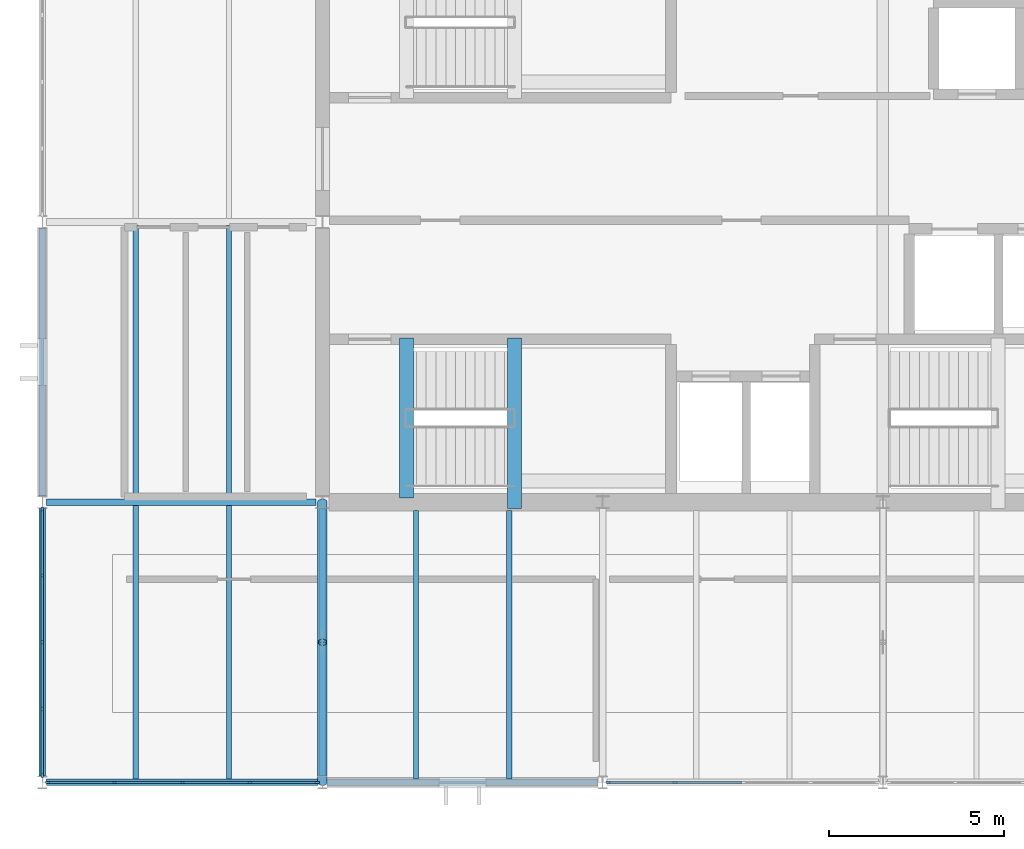
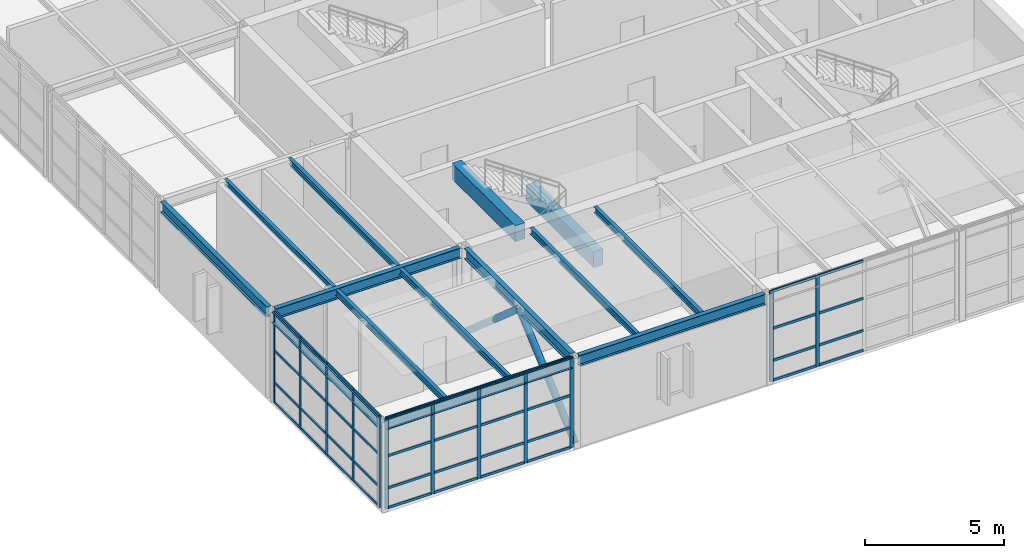
# One storey, part 3 of 20: 54 members, 14 beams, 3 elements without a shape of their own.
"""IFC4 building model written with IfcOpenShell, lengths in metres."""

import ifcopenshell
import ifcopenshell.guid

model = None  # the IFC model being written
_history = None  # IfcOwnerHistory: only IFC2X3 demands one
_inside = {}  # id of a spatial element -> (the spatial element, [elements in it])
_under = {}  # id of a project, library or spatial element -> (it, [spatial elements below it])
_declared = {}  # id of a project -> (the project, [libraries it declares])
_typed = {}  # id of a type object -> (the type object, [elements of that type])
_made_of = {}  # id of a material, layer set ... -> (it, [elements and type objects made of it])


def new_model(schema):
    """Start an empty IFC model of exactly this schema.

    Asked for "IFC4X3", IfcOpenShell would pick the latest addendum, in which some entities
    have other attributes; the version numbers below select the first issue.
    IFC2X3 requires an IfcOwnerHistory on every rooted entity: one is made here for all.
    """
    global model, _history
    if schema == "IFC4X3":
        model = ifcopenshell.file(schema_version=(4, 3, 0, 0))
    else:
        model = ifcopenshell.file(schema=schema)
    _inside.clear()
    _under.clear()
    _declared.clear()
    _typed.clear()
    _made_of.clear()
    _history = None
    if model.schema == "IFC2X3":
        org = make("IfcOrganization", Name="unknown")
        user = make(
            "IfcPersonAndOrganization",
            ThePerson=make("IfcPerson", FamilyName="unknown"),
            TheOrganization=org,
        )
        app = make(
            "IfcApplication",
            ApplicationDeveloper=org,
            Version="unknown",
            ApplicationFullName="unknown",
            ApplicationIdentifier="unknown",
        )
        _history = make(
            "IfcOwnerHistory",
            OwningUser=user,
            OwningApplication=app,
            ChangeAction="ADDED",
            CreationDate=0,
        )
    return model


def make(cls, **values):
    """One entity of the class cls with the attributes given. An attribute that is None is left unset."""
    return model.create_entity(
        cls, **{name: value for name, value in values.items() if value is not None}
    )


def rooted(cls, **values):
    """An entity with a GlobalId (a new one), such as an element, a storey or a relation."""
    return make(cls, GlobalId=ifcopenshell.guid.new(), OwnerHistory=_history, **values)


def si_unit(unit_type, name, prefix=None):
    """IfcSIUnit, for example si_unit("LENGTHUNIT", "METRE", prefix="MILLI")."""
    return make("IfcSIUnit", UnitType=unit_type, Prefix=prefix, Name=name)


def assignment(units):
    """IfcUnitAssignment: the units of a project."""
    return None if units is None else make("IfcUnitAssignment", Units=units)


def point(xyz):
    """IfcCartesianPoint."""
    return None if xyz is None else make("IfcCartesianPoint", Coordinates=xyz)


def direction(xyz):
    """IfcDirection."""
    return None if xyz is None else make("IfcDirection", DirectionRatios=xyz)


def frame(location, z_axis=None, x_axis=None):
    """IfcAxis2Placement3D, a coordinate frame: its origin and axes. An axis left out is left unset."""
    return make(
        "IfcAxis2Placement3D",
        Location=point(location),
        Axis=direction(z_axis),
        RefDirection=direction(x_axis),
    )


def frame_2d(location, x_axis=None):
    """IfcAxis2Placement2D, a coordinate frame in the plane: its origin and x axis."""
    return make(
        "IfcAxis2Placement2D", Location=point(location), RefDirection=direction(x_axis)
    )


def origin():
    """The frame at (0, 0, 0) with its axes left unset."""
    return frame((0.0, 0.0, 0.0))


def origin_2d():
    """The frame at (0, 0) in the plane with its x axis left unset."""
    return frame_2d((0.0, 0.0))


def place(relative_to, where):
    """IfcLocalPlacement: puts the frame where relative to a parent placement (None: the world)."""
    return make(
        "IfcLocalPlacement", PlacementRelTo=relative_to, RelativePlacement=where
    )


def context(
    kind, dimensions, precision=None, world=None, true_north=None, identifier=None
):
    """IfcGeometricRepresentationContext, for example the 3D "Model" context."""
    return make(
        "IfcGeometricRepresentationContext",
        ContextIdentifier=identifier,
        ContextType=kind,
        CoordinateSpaceDimension=dimensions,
        Precision=precision,
        WorldCoordinateSystem=world,
        TrueNorth=true_north,
    )


def subcontext(parent, identifier, kind, view, scale=None):
    """IfcGeometricRepresentationSubContext, for example "Body" below "Model"."""
    return make(
        "IfcGeometricRepresentationSubContext",
        ContextIdentifier=identifier,
        ContextType=kind,
        ParentContext=parent,
        TargetScale=scale,
        TargetView=view,
    )


def project(units=None, contexts=None):
    """IfcProject with its units and contexts."""
    return rooted(
        "IfcProject",
        Name="project",
        RepresentationContexts=contexts,
        UnitsInContext=assignment(units),
    )


def spatial(cls, under=None, at=None, **own):
    """A site, building, storey or space (cls), placed at a placement, below another one or the project."""
    s = rooted(cls, ObjectPlacement=at, **own)
    if under is not None:
        _under.setdefault(under.id(), (under, []))[1].append(s)
    return s


def profile(cls, at=None, kind="AREA", **sizes):
    """A parametric profile (cls). Its sizes go by their IFC names, for example OverallWidth=200.0."""
    return make(cls, ProfileType=kind, Position=at, **sizes)


def rectangle(**sizes):
    """IfcRectangleProfileDef."""
    return profile("IfcRectangleProfileDef", **sizes)


def hollow_circle(**sizes):
    """IfcCircleHollowProfileDef."""
    return profile("IfcCircleHollowProfileDef", **sizes)


def i_section(**sizes):
    """IfcIShapeProfileDef."""
    return profile("IfcIShapeProfileDef", **sizes)


def extrude(swept, where, along, depth):
    """IfcExtrudedAreaSolid: the profile swept, set in the frame where, extruded along a direction by depth."""
    return make(
        "IfcExtrudedAreaSolid",
        SweptArea=swept,
        Position=where,
        ExtrudedDirection=direction(along),
        Depth=depth,
    )


def shape(context_of_items, identifier, shape_type, items):
    """IfcShapeRepresentation: the items that make up one representation, for example the "Body"."""
    return make(
        "IfcShapeRepresentation",
        ContextOfItems=context_of_items,
        RepresentationIdentifier=identifier,
        RepresentationType=shape_type,
        Items=items,
    )


def material(Name=None, Category=None):
    """IfcMaterial."""
    return make("IfcMaterial", Name=Name, Category=Category)


def layer(
    of_material, thickness, ventilated=None, Name=None, Category=None, Priority=None
):
    """IfcMaterialLayer: one layer of a wall or slab, of a material (None: an air gap)."""
    return make(
        "IfcMaterialLayer",
        Material=of_material,
        LayerThickness=thickness,
        IsVentilated=ventilated,
        Name=Name,
        Category=Category,
        Priority=Priority,
    )


def layer_set(layers, Name=None):
    """IfcMaterialLayerSet."""
    return make("IfcMaterialLayerSet", MaterialLayers=layers, LayerSetName=Name)


def material_profile(
    of_material, cross_section, Name=None, Category=None, Priority=None
):
    """IfcMaterialProfile: a cross section and its material."""
    return make(
        "IfcMaterialProfile",
        Name=Name,
        Material=of_material,
        Profile=cross_section,
        Priority=Priority,
        Category=Category,
    )


def profile_set(profiles, Name=None, composite=None):
    """IfcMaterialProfileSet."""
    return make(
        "IfcMaterialProfileSet",
        Name=Name,
        MaterialProfiles=profiles,
        CompositeProfile=composite,
    )


def made_of(thing, what):
    """Note that an element or type object is made of a material, layer set ...; save() writes the relation."""
    if what is not None:
        _made_of.setdefault(what.id(), (what, []))[1].append(thing)
    return thing


def type_object(cls, material=None, **own):
    """A type object (cls), such as IfcWallType, which elements share."""
    return made_of(rooted(cls, **own), material)


def element(
    cls,
    number,
    at=None,
    inside=None,
    cuts=None,
    type_object=None,
    material=None,
    context=None,
    identifier="Body",
    shape_type=None,
    held_by="IfcProductDefinitionShape",
    body=None,
    shapes=None,
    **own,
):
    """One element of the class cls, such as IfcWall. Its Tag is "e" and its number.

    at: its placement. inside: the storey or other place that contains it. cuts: it is an
    opening in that element (IfcRelVoidsElement). A single representation is given by context,
    identifier, shape_type and body (its items); several are given by shapes. held_by: the class
    of the entity that holds the representations. save() writes the other relations.
    """
    e = rooted(cls, Tag="e%d" % number, ObjectPlacement=at, **own)
    if body is not None:
        shapes = [shape(context, identifier, shape_type, body)]
    if shapes is not None:
        e.Representation = make(held_by, Representations=shapes)
    if inside is not None:
        _inside.setdefault(inside.id(), (inside, []))[1].append(e)
    if cuts is not None:
        rooted(
            "IfcRelVoidsElement", RelatingBuildingElement=cuts, RelatedOpeningElement=e
        )
    if type_object is not None:
        _typed.setdefault(type_object.id(), (type_object, []))[1].append(e)
    return made_of(e, material)


def aggregate(whole, parts):
    """IfcRelAggregates: a whole, such as a stair, and the parts it consists of."""
    return rooted("IfcRelAggregates", RelatingObject=whole, RelatedObjects=parts)


def save(model, path):
    """Write the relations noted so far, then the file.

    IfcRelAggregates (storeys below a building ...), IfcRelContainedInSpatialStructure (elements
    in a storey), IfcRelDefinesByType, IfcRelAssociatesMaterial and IfcRelDeclares: one each for
    every whole, place, type object, material and project.
    """
    for whole, parts in _under.values():
        aggregate(whole, parts)
    for where, things in _inside.values():
        rooted(
            "IfcRelContainedInSpatialStructure",
            RelatedElements=things,
            RelatingStructure=where,
        )
    for kind, things in _typed.values():
        rooted("IfcRelDefinesByType", RelatedObjects=things, RelatingType=kind)
    for what, things in _made_of.values():
        rooted("IfcRelAssociatesMaterial", RelatedObjects=things, RelatingMaterial=what)
    for by, libraries in _declared.values():
        rooted("IfcRelDeclares", RelatingContext=by, RelatedDefinitions=libraries)
    model.write(path)


model = new_model("IFC4")

# Units and contexts
model_context = context("Model", 3, precision=1e-05, world=origin(), true_north=direction((0.0, 1.0)))
body_context = subcontext(model_context, "Body", "Model", "MODEL_VIEW")
ifc_project = project(units=[si_unit("LENGTHUNIT", "METRE"), si_unit("AREAUNIT", "SQUARE_METRE"), si_unit("VOLUMEUNIT", "CUBIC_METRE"), si_unit("PLANEANGLEUNIT", "RADIAN"), si_unit("MASSUNIT", "GRAM", prefix="KILO")], contexts=[model_context])

# Site, building, storey
site_placement = place(None, origin())
site = spatial("IfcSite", under=ifc_project, at=site_placement, CompositionType="ELEMENT")
building_placement = place(site_placement, origin())
building = spatial("IfcBuilding", under=site, at=building_placement, Name="Varnela Railside Interchange", CompositionType="ELEMENT")
storey_placement = place(building_placement, frame((0.0, 0.0, 28.0)))
storey = spatial("IfcBuildingStorey", under=building, at=storey_placement, Name="L06", CompositionType="ELEMENT", Elevation=28.0)

# Beams
ifc_material_1 = material(Name="Steel AR 350 (350 MPa)", Category="steel")
ifc_material_profile_1 = material_profile(ifc_material_1, i_section(OverallWidth=0.14794921875, OverallDepth=0.26611328125, WebThickness=0.007568359375, FlangeThickness=0.012939453125, at=origin_2d()), Name="W250x44.8")
ifc_profile_set_1 = profile_set([ifc_material_profile_1], Name="Steel AR 350 (350 MPa)")
beam_type_1 = type_object("IfcBeamType", Name="Composite Floor Joist J-05", PredefinedType="JOIST", material=ifc_profile_set_1)
for number, where, z_axis, x_axis, name in (
    (1, (6.669921875, 46.095947265625, 3.846923828125), (0.0, 1.0, 0.0), (-1.0, 0.0, 0.0), "Composite Floor Joist J-05 (L06) (BM-2642)"),
    (2, (9.330078125, 46.095947265625, 3.846923828125), (0.0, 1.0, 0.0), (-1.0, 0.0, 0.0), "Composite Floor Joist J-05 (L06) (BM-2643)"),
    (3, (6.669921875, 54.095947265625, 3.846923828125), (0.0, 1.0, 0.0), (-1.0, 0.0, 0.0), "Composite Floor Joist J-05 (L06) (BM-2644)"),
    (4, (9.330078125, 54.095947265625, 3.846923828125), (0.0, 1.0, 0.0), (-1.0, 0.0, 0.0), "Composite Floor Joist J-05 (L06) (BM-2645)"),
):
    element("IfcBeam", number, at=place(storey_placement, frame(where, z_axis=z_axis, x_axis=x_axis)), inside=storey, type_object=beam_type_1, Name=name, PredefinedType="JOIST", context=body_context, shape_type="SweptSolid", body=[
        extrude(i_section(OverallWidth=0.14794921875, OverallDepth=0.26611328125, WebThickness=0.007568359375, FlangeThickness=0.012939453125, at=origin_2d()), origin(), (0.0, 0.0, 1.0), 7.80810546875),
    ])
for number, where, z_axis, x_axis, name in (
    (5, (14.669921875, 46.095947265625, 3.846923828125), (0.0, 1.0, 0.0), (-1.0, 0.0, 0.0), "Composite Floor Joist J-05 (L06) (BM-2654)"),
    (6, (17.330078125, 46.095947265625, 3.846923828125), (0.0, 1.0, 0.0), (-1.0, 0.0, 0.0), "Composite Floor Joist J-05 (L06) (BM-2655)"),
):
    element("IfcBeam", number, at=place(storey_placement, frame(where, z_axis=z_axis, x_axis=x_axis)), inside=storey, type_object=beam_type_1, Name=name, PredefinedType="JOIST", context=body_context, shape_type="SweptSolid", body=[
        extrude(i_section(OverallWidth=0.14794921875, OverallDepth=0.26611328125, WebThickness=0.007568359375, FlangeThickness=0.012939453125, at=origin_2d()), origin(), (0.0, 0.0, 1.0), 7.6640625),
    ])
ifc_material_2 = material(Name="Concrete C40", Category="concrete")
ifc_material_profile_2 = material_profile(ifc_material_2, rectangle(XDim=0.39990234375, YDim=0.699951171875, at=origin_2d()), Name="RC 400x700")
ifc_profile_set_2 = profile_set([ifc_material_profile_2], Name="Concrete C40")
beam_type_2 = type_object("IfcBeamType", Name="Concrete Tie Beam B-01", PredefinedType="BEAM", material=ifc_profile_set_2)
beam_1_placement = place(storey_placement, frame((14.39990234375, 54.1201171875, 3.6298828125), z_axis=(0.0, 1.0, 0.0), x_axis=(-1.0, 0.0, 0.0)))
element("IfcBeam", 7, at=beam_1_placement, inside=storey, type_object=beam_type_2, Name="Concrete Tie Beam B-01 (L06) (BM-2724)", PredefinedType="BEAM", context=body_context, shape_type="SweptSolid", body=[
    extrude(rectangle(XDim=0.39990234375, YDim=0.699951171875, at=origin_2d()), origin(), (0.0, 0.0, 1.0), 4.559814453125),
])
beam_2_placement = place(storey_placement, frame((17.47998046875, 53.820068359375, 1.590087890625), z_axis=(0.0, 1.0, 0.0), x_axis=(-1.0, 0.0, 0.0)))
element("IfcBeam", 8, at=beam_2_placement, inside=storey, type_object=beam_type_2, Name="Concrete Tie Beam B-01 (L06) (BM-2721)", PredefinedType="BEAM", context=body_context, shape_type="SweptSolid", body=[
    extrude(rectangle(XDim=0.39990234375, YDim=0.699951171875, at=origin_2d()), origin(), (0.0, 0.0, 1.0), 4.85986328125),
])

# Curtain wall, members
ifc_material_3 = material(Name="Aluminium 6063-T6", Category="aluminium")
ifc_layer = layer(ifc_material_3, 0.035888671875)
ifc_layer_set = layer_set([ifc_layer], Name="Aluminium 6063-T6")
curtain_wall_type = type_object("IfcCurtainWallType", Name="Operations Wing Facade Curtain Wall CW-03", PredefinedType="USERDEFINED", material=ifc_layer_set)
curtain_wall_1_placement = place(storey_placement, origin())
curtain_wall_1 = element("IfcCurtainWall", 9, at=curtain_wall_1_placement, inside=storey, type_object=curtain_wall_type, Name="Curtain Wall CW-03 (L06) (CW-144)", ObjectType="CURTAIN WALL", PredefinedType="USERDEFINED")
ifc_material_profile_3 = material_profile(ifc_material_3, rectangle(XDim=0.06005859375, YDim=0.139892578125, at=origin_2d()), Name="ALU 60x140")
ifc_profile_set_3 = profile_set([ifc_material_profile_3], Name="Aluminium 6063-T6")
member_type_1 = type_object("IfcMemberType", Name="Curtain Wall Mullion ML-01", PredefinedType="MULLION", material=ifc_profile_set_3)
member_1_placement = place(storey_placement, frame((22.064208984375, 46.0, 0.0), z_axis=(0.0, 0.0, 1.0), x_axis=(0.0, -1.0, 0.0)))
member_1 = element("IfcMember", 10, at=member_1_placement, type_object=member_type_1, Name="CW-03 mullion 4", PredefinedType="MULLION", context=body_context, shape_type="SweptSolid", body=[
    extrude(rectangle(XDim=0.06005859375, YDim=0.139892578125, at=origin_2d()), origin(), (0.0, 0.0, 1.0), 3.97998046875),
])
member_2_placement = place(storey_placement, frame((20.158447265625, 46.0, 0.0), z_axis=(0.0, 0.0, 1.0), x_axis=(0.0, -1.0, 0.0)))
member_2 = element("IfcMember", 11, at=member_2_placement, type_object=member_type_1, Name="CW-03 mullion 5", PredefinedType="MULLION", context=body_context, shape_type="SweptSolid", body=[
    extrude(rectangle(XDim=0.06005859375, YDim=0.139892578125, at=origin_2d()), origin(), (0.0, 0.0, 1.0), 3.97998046875),
])

curtain_wall_2_placement = place(storey_placement, origin())
curtain_wall_2 = element("IfcCurtainWall", 12, at=curtain_wall_2_placement, inside=storey, type_object=curtain_wall_type, Name="Curtain Wall CW-03 (L06) (CW-145)", ObjectType="CURTAIN WALL", PredefinedType="USERDEFINED")
member_3_placement = place(storey_placement, frame((11.841552734375, 46.0, 0.0), z_axis=(0.0, 0.0, 1.0), x_axis=(0.0, -1.0, 0.0)))
member_3 = element("IfcMember", 13, at=member_3_placement, type_object=member_type_1, Name="CW-03 mullion 1", PredefinedType="MULLION", context=body_context, shape_type="SweptSolid", body=[
    extrude(rectangle(XDim=0.06005859375, YDim=0.139892578125, at=origin_2d()), origin(), (0.0, 0.0, 1.0), 3.97998046875),
])
member_4_placement = place(storey_placement, frame((9.935791015625, 46.0, 0.0), z_axis=(0.0, 0.0, 1.0), x_axis=(0.0, -1.0, 0.0)))
member_4 = element("IfcMember", 14, at=member_4_placement, type_object=member_type_1, Name="CW-03 mullion 2", PredefinedType="MULLION", context=body_context, shape_type="SweptSolid", body=[
    extrude(rectangle(XDim=0.06005859375, YDim=0.139892578125, at=origin_2d()), origin(), (0.0, 0.0, 1.0), 3.97998046875),
])
member_5_placement = place(storey_placement, frame((8.0, 46.0, 0.0), z_axis=(0.0, 0.0, 1.0), x_axis=(0.0, -1.0, 0.0)))
member_5 = element("IfcMember", 15, at=member_5_placement, type_object=member_type_1, Name="CW-03 mullion 3", PredefinedType="MULLION", context=body_context, shape_type="SweptSolid", body=[
    extrude(rectangle(XDim=0.06005859375, YDim=0.139892578125, at=origin_2d()), origin(), (0.0, 0.0, 1.0), 3.97998046875),
])
member_6_placement = place(storey_placement, frame((6.064208984375, 46.0, 0.0), z_axis=(0.0, 0.0, 1.0), x_axis=(0.0, -1.0, 0.0)))
member_6 = element("IfcMember", 16, at=member_6_placement, type_object=member_type_1, Name="CW-03 mullion 4", PredefinedType="MULLION", context=body_context, shape_type="SweptSolid", body=[
    extrude(rectangle(XDim=0.06005859375, YDim=0.139892578125, at=origin_2d()), origin(), (0.0, 0.0, 1.0), 3.97998046875),
])
member_7_placement = place(storey_placement, frame((4.158447265625, 46.0, 0.0), z_axis=(0.0, 0.0, 1.0), x_axis=(0.0, -1.0, 0.0)))
member_7 = element("IfcMember", 17, at=member_7_placement, type_object=member_type_1, Name="CW-03 mullion 5", PredefinedType="MULLION", context=body_context, shape_type="SweptSolid", body=[
    extrude(rectangle(XDim=0.06005859375, YDim=0.139892578125, at=origin_2d()), origin(), (0.0, 0.0, 1.0), 3.97998046875),
])

curtain_wall_3_placement = place(storey_placement, origin())
curtain_wall_3 = element("IfcCurtainWall", 18, at=curtain_wall_3_placement, inside=storey, type_object=curtain_wall_type, Name="Curtain Wall CW-03 (L06) (CW-146)", ObjectType="CURTAIN WALL", PredefinedType="USERDEFINED")
member_8_placement = place(storey_placement, frame((4.0, 46.21142578125, 0.0), z_axis=(0.0, 0.0, 1.0), x_axis=(-1.0, 0.0, 0.0)))
member_8 = element("IfcMember", 19, at=member_8_placement, type_object=member_type_1, Name="CW-03 mullion 1", PredefinedType="MULLION", context=body_context, shape_type="SweptSolid", body=[
    extrude(rectangle(XDim=0.06005859375, YDim=0.139892578125, at=origin_2d()), origin(), (0.0, 0.0, 1.0), 3.97998046875),
])
member_9_placement = place(storey_placement, frame((4.0, 48.0908203125, 0.0), z_axis=(0.0, 0.0, 1.0), x_axis=(-1.0, 0.0, 0.0)))
member_9 = element("IfcMember", 20, at=member_9_placement, type_object=member_type_1, Name="CW-03 mullion 2", PredefinedType="MULLION", context=body_context, shape_type="SweptSolid", body=[
    extrude(rectangle(XDim=0.06005859375, YDim=0.139892578125, at=origin_2d()), origin(), (0.0, 0.0, 1.0), 3.97998046875),
])
member_10_placement = place(storey_placement, frame((4.0, 50.0, 0.0), z_axis=(0.0, 0.0, 1.0), x_axis=(-1.0, 0.0, 0.0)))
member_10 = element("IfcMember", 21, at=member_10_placement, type_object=member_type_1, Name="CW-03 mullion 3", PredefinedType="MULLION", context=body_context, shape_type="SweptSolid", body=[
    extrude(rectangle(XDim=0.06005859375, YDim=0.139892578125, at=origin_2d()), origin(), (0.0, 0.0, 1.0), 3.97998046875),
])
member_11_placement = place(storey_placement, frame((4.0, 51.9091796875, 0.0), z_axis=(0.0, 0.0, 1.0), x_axis=(-1.0, 0.0, 0.0)))
member_11 = element("IfcMember", 22, at=member_11_placement, type_object=member_type_1, Name="CW-03 mullion 4", PredefinedType="MULLION", context=body_context, shape_type="SweptSolid", body=[
    extrude(rectangle(XDim=0.06005859375, YDim=0.139892578125, at=origin_2d()), origin(), (0.0, 0.0, 1.0), 3.97998046875),
])
member_12_placement = place(storey_placement, frame((4.0, 53.78857421875, 0.0), z_axis=(0.0, 0.0, 1.0), x_axis=(-1.0, 0.0, 0.0)))
member_12 = element("IfcMember", 23, at=member_12_placement, type_object=member_type_1, Name="CW-03 mullion 5", PredefinedType="MULLION", context=body_context, shape_type="SweptSolid", body=[
    extrude(rectangle(XDim=0.06005859375, YDim=0.139892578125, at=origin_2d()), origin(), (0.0, 0.0, 1.0), 3.97998046875),
])

# Member
ifc_material_profile_4 = material_profile(ifc_material_3, rectangle(XDim=0.06005859375, YDim=0.110107421875, at=origin_2d()), Name="ALU 60x110")
ifc_profile_set_4 = profile_set([ifc_material_profile_4], Name="Aluminium 6063-T6")
member_type_2 = type_object("IfcMemberType", Name="Curtain Wall Transom TR-01", PredefinedType="USERDEFINED", material=ifc_profile_set_4)
member_13_placement = place(storey_placement, frame((23.969970703125, 46.0, 0.030029296875), z_axis=(-1.0, 0.0, 0.0), x_axis=(0.0, -1.0, 0.0)))
member_13 = element("IfcMember", 24, at=member_13_placement, type_object=member_type_2, Name="CW-03 transom 3.1", ObjectType="TRANSOM", PredefinedType="USERDEFINED", context=body_context, shape_type="SweptSolid", body=[
    extrude(rectangle(XDim=0.06005859375, YDim=0.110107421875, at=origin_2d()), origin(), (0.0, 0.0, 1.0), 1.875732421875),
])

member_14_placement = place(storey_placement, frame((23.969970703125, 46.0, 0.89990234375), z_axis=(-1.0, 0.0, 0.0), x_axis=(0.0, -1.0, 0.0)))
member_14 = element("IfcMember", 25, at=member_14_placement, type_object=member_type_2, Name="CW-03 transom 3.2", ObjectType="TRANSOM", PredefinedType="USERDEFINED", context=body_context, shape_type="SweptSolid", body=[
    extrude(rectangle(XDim=0.06005859375, YDim=0.110107421875, at=origin_2d()), origin(), (0.0, 0.0, 1.0), 1.875732421875),
])

member_15_placement = place(storey_placement, frame((23.969970703125, 46.0, 2.308349609375), z_axis=(-1.0, 0.0, 0.0), x_axis=(0.0, -1.0, 0.0)))
member_15 = element("IfcMember", 26, at=member_15_placement, type_object=member_type_2, Name="CW-03 transom 3.3", ObjectType="TRANSOM", PredefinedType="USERDEFINED", context=body_context, shape_type="SweptSolid", body=[
    extrude(rectangle(XDim=0.06005859375, YDim=0.110107421875, at=origin_2d()), origin(), (0.0, 0.0, 1.0), 1.875732421875),
])

member_16_placement = place(storey_placement, frame((23.969970703125, 46.0, 3.949951171875), z_axis=(-1.0, 0.0, 0.0), x_axis=(0.0, -1.0, 0.0)))
member_16 = element("IfcMember", 27, at=member_16_placement, type_object=member_type_2, Name="CW-03 transom 3.4", ObjectType="TRANSOM", PredefinedType="USERDEFINED", context=body_context, shape_type="SweptSolid", body=[
    extrude(rectangle(XDim=0.06005859375, YDim=0.110107421875, at=origin_2d()), origin(), (0.0, 0.0, 1.0), 1.875732421875),
])

member_17_placement = place(storey_placement, frame((22.0341796875, 46.0, 0.030029296875), z_axis=(-1.0, 0.0, 0.0), x_axis=(0.0, -1.0, 0.0)))
member_17 = element("IfcMember", 28, at=member_17_placement, type_object=member_type_2, Name="CW-03 transom 4.1", ObjectType="TRANSOM", PredefinedType="USERDEFINED", context=body_context, shape_type="SweptSolid", body=[
    extrude(rectangle(XDim=0.06005859375, YDim=0.110107421875, at=origin_2d()), origin(), (0.0, 0.0, 1.0), 1.845703125),
])

member_18_placement = place(storey_placement, frame((22.0341796875, 46.0, 0.89990234375), z_axis=(-1.0, 0.0, 0.0), x_axis=(0.0, -1.0, 0.0)))
member_18 = element("IfcMember", 29, at=member_18_placement, type_object=member_type_2, Name="CW-03 transom 4.2", ObjectType="TRANSOM", PredefinedType="USERDEFINED", context=body_context, shape_type="SweptSolid", body=[
    extrude(rectangle(XDim=0.06005859375, YDim=0.110107421875, at=origin_2d()), origin(), (0.0, 0.0, 1.0), 1.845703125),
])

member_19_placement = place(storey_placement, frame((22.0341796875, 46.0, 2.308349609375), z_axis=(-1.0, 0.0, 0.0), x_axis=(0.0, -1.0, 0.0)))
member_19 = element("IfcMember", 30, at=member_19_placement, type_object=member_type_2, Name="CW-03 transom 4.3", ObjectType="TRANSOM", PredefinedType="USERDEFINED", context=body_context, shape_type="SweptSolid", body=[
    extrude(rectangle(XDim=0.06005859375, YDim=0.110107421875, at=origin_2d()), origin(), (0.0, 0.0, 1.0), 1.845703125),
])

member_20_placement = place(storey_placement, frame((22.0341796875, 46.0, 3.949951171875), z_axis=(-1.0, 0.0, 0.0), x_axis=(0.0, -1.0, 0.0)))
member_20 = element("IfcMember", 31, at=member_20_placement, type_object=member_type_2, Name="CW-03 transom 4.4", ObjectType="TRANSOM", PredefinedType="USERDEFINED", context=body_context, shape_type="SweptSolid", body=[
    extrude(rectangle(XDim=0.06005859375, YDim=0.110107421875, at=origin_2d()), origin(), (0.0, 0.0, 1.0), 1.845703125),
])

aggregate(curtain_wall_1, [member_1, member_2, member_13, member_14, member_15, member_16, member_17, member_18, member_19, member_20])

member_21_placement = place(storey_placement, frame((11.8115234375, 46.0, 0.030029296875), z_axis=(-1.0, 0.0, 0.0), x_axis=(0.0, -1.0, 0.0)))
member_21 = element("IfcMember", 32, at=member_21_placement, type_object=member_type_2, Name="CW-03 transom 1.1", ObjectType="TRANSOM", PredefinedType="USERDEFINED", context=body_context, shape_type="SweptSolid", body=[
    extrude(rectangle(XDim=0.06005859375, YDim=0.110107421875, at=origin_2d()), origin(), (0.0, 0.0, 1.0), 1.845703125),
])

member_22_placement = place(storey_placement, frame((11.8115234375, 46.0, 0.89990234375), z_axis=(-1.0, 0.0, 0.0), x_axis=(0.0, -1.0, 0.0)))
member_22 = element("IfcMember", 33, at=member_22_placement, type_object=member_type_2, Name="CW-03 transom 1.2", ObjectType="TRANSOM", PredefinedType="USERDEFINED", context=body_context, shape_type="SweptSolid", body=[
    extrude(rectangle(XDim=0.06005859375, YDim=0.110107421875, at=origin_2d()), origin(), (0.0, 0.0, 1.0), 1.845703125),
])

member_23_placement = place(storey_placement, frame((11.8115234375, 46.0, 2.308349609375), z_axis=(-1.0, 0.0, 0.0), x_axis=(0.0, -1.0, 0.0)))
member_23 = element("IfcMember", 34, at=member_23_placement, type_object=member_type_2, Name="CW-03 transom 1.3", ObjectType="TRANSOM", PredefinedType="USERDEFINED", context=body_context, shape_type="SweptSolid", body=[
    extrude(rectangle(XDim=0.06005859375, YDim=0.110107421875, at=origin_2d()), origin(), (0.0, 0.0, 1.0), 1.845703125),
])

member_24_placement = place(storey_placement, frame((11.8115234375, 46.0, 3.949951171875), z_axis=(-1.0, 0.0, 0.0), x_axis=(0.0, -1.0, 0.0)))
member_24 = element("IfcMember", 35, at=member_24_placement, type_object=member_type_2, Name="CW-03 transom 1.4", ObjectType="TRANSOM", PredefinedType="USERDEFINED", context=body_context, shape_type="SweptSolid", body=[
    extrude(rectangle(XDim=0.06005859375, YDim=0.110107421875, at=origin_2d()), origin(), (0.0, 0.0, 1.0), 1.845703125),
])

member_25_placement = place(storey_placement, frame((9.90576171875, 46.0, 0.030029296875), z_axis=(-1.0, 0.0, 0.0), x_axis=(0.0, -1.0, 0.0)))
member_25 = element("IfcMember", 36, at=member_25_placement, type_object=member_type_2, Name="CW-03 transom 2.1", ObjectType="TRANSOM", PredefinedType="USERDEFINED", context=body_context, shape_type="SweptSolid", body=[
    extrude(rectangle(XDim=0.06005859375, YDim=0.110107421875, at=origin_2d()), origin(), (0.0, 0.0, 1.0), 1.875732421875),
])

member_26_placement = place(storey_placement, frame((9.90576171875, 46.0, 0.89990234375), z_axis=(-1.0, 0.0, 0.0), x_axis=(0.0, -1.0, 0.0)))
member_26 = element("IfcMember", 37, at=member_26_placement, type_object=member_type_2, Name="CW-03 transom 2.2", ObjectType="TRANSOM", PredefinedType="USERDEFINED", context=body_context, shape_type="SweptSolid", body=[
    extrude(rectangle(XDim=0.06005859375, YDim=0.110107421875, at=origin_2d()), origin(), (0.0, 0.0, 1.0), 1.875732421875),
])

member_27_placement = place(storey_placement, frame((9.90576171875, 46.0, 2.308349609375), z_axis=(-1.0, 0.0, 0.0), x_axis=(0.0, -1.0, 0.0)))
member_27 = element("IfcMember", 38, at=member_27_placement, type_object=member_type_2, Name="CW-03 transom 2.3", ObjectType="TRANSOM", PredefinedType="USERDEFINED", context=body_context, shape_type="SweptSolid", body=[
    extrude(rectangle(XDim=0.06005859375, YDim=0.110107421875, at=origin_2d()), origin(), (0.0, 0.0, 1.0), 1.875732421875),
])

member_28_placement = place(storey_placement, frame((9.90576171875, 46.0, 3.949951171875), z_axis=(-1.0, 0.0, 0.0), x_axis=(0.0, -1.0, 0.0)))
member_28 = element("IfcMember", 39, at=member_28_placement, type_object=member_type_2, Name="CW-03 transom 2.4", ObjectType="TRANSOM", PredefinedType="USERDEFINED", context=body_context, shape_type="SweptSolid", body=[
    extrude(rectangle(XDim=0.06005859375, YDim=0.110107421875, at=origin_2d()), origin(), (0.0, 0.0, 1.0), 1.875732421875),
])

member_29_placement = place(storey_placement, frame((7.969970703125, 46.0, 0.030029296875), z_axis=(-1.0, 0.0, 0.0), x_axis=(0.0, -1.0, 0.0)))
member_29 = element("IfcMember", 40, at=member_29_placement, type_object=member_type_2, Name="CW-03 transom 3.1", ObjectType="TRANSOM", PredefinedType="USERDEFINED", context=body_context, shape_type="SweptSolid", body=[
    extrude(rectangle(XDim=0.06005859375, YDim=0.110107421875, at=origin_2d()), origin(), (0.0, 0.0, 1.0), 1.875732421875),
])

member_30_placement = place(storey_placement, frame((7.969970703125, 46.0, 0.89990234375), z_axis=(-1.0, 0.0, 0.0), x_axis=(0.0, -1.0, 0.0)))
member_30 = element("IfcMember", 41, at=member_30_placement, type_object=member_type_2, Name="CW-03 transom 3.2", ObjectType="TRANSOM", PredefinedType="USERDEFINED", context=body_context, shape_type="SweptSolid", body=[
    extrude(rectangle(XDim=0.06005859375, YDim=0.110107421875, at=origin_2d()), origin(), (0.0, 0.0, 1.0), 1.875732421875),
])

member_31_placement = place(storey_placement, frame((7.969970703125, 46.0, 2.308349609375), z_axis=(-1.0, 0.0, 0.0), x_axis=(0.0, -1.0, 0.0)))
member_31 = element("IfcMember", 42, at=member_31_placement, type_object=member_type_2, Name="CW-03 transom 3.3", ObjectType="TRANSOM", PredefinedType="USERDEFINED", context=body_context, shape_type="SweptSolid", body=[
    extrude(rectangle(XDim=0.06005859375, YDim=0.110107421875, at=origin_2d()), origin(), (0.0, 0.0, 1.0), 1.875732421875),
])

member_32_placement = place(storey_placement, frame((7.969970703125, 46.0, 3.949951171875), z_axis=(-1.0, 0.0, 0.0), x_axis=(0.0, -1.0, 0.0)))
member_32 = element("IfcMember", 43, at=member_32_placement, type_object=member_type_2, Name="CW-03 transom 3.4", ObjectType="TRANSOM", PredefinedType="USERDEFINED", context=body_context, shape_type="SweptSolid", body=[
    extrude(rectangle(XDim=0.06005859375, YDim=0.110107421875, at=origin_2d()), origin(), (0.0, 0.0, 1.0), 1.875732421875),
])

member_33_placement = place(storey_placement, frame((6.0341796875, 46.0, 0.030029296875), z_axis=(-1.0, 0.0, 0.0), x_axis=(0.0, -1.0, 0.0)))
member_33 = element("IfcMember", 44, at=member_33_placement, type_object=member_type_2, Name="CW-03 transom 4.1", ObjectType="TRANSOM", PredefinedType="USERDEFINED", context=body_context, shape_type="SweptSolid", body=[
    extrude(rectangle(XDim=0.06005859375, YDim=0.110107421875, at=origin_2d()), origin(), (0.0, 0.0, 1.0), 1.845703125),
])

member_34_placement = place(storey_placement, frame((6.0341796875, 46.0, 0.89990234375), z_axis=(-1.0, 0.0, 0.0), x_axis=(0.0, -1.0, 0.0)))
member_34 = element("IfcMember", 45, at=member_34_placement, type_object=member_type_2, Name="CW-03 transom 4.2", ObjectType="TRANSOM", PredefinedType="USERDEFINED", context=body_context, shape_type="SweptSolid", body=[
    extrude(rectangle(XDim=0.06005859375, YDim=0.110107421875, at=origin_2d()), origin(), (0.0, 0.0, 1.0), 1.845703125),
])

member_35_placement = place(storey_placement, frame((6.0341796875, 46.0, 2.308349609375), z_axis=(-1.0, 0.0, 0.0), x_axis=(0.0, -1.0, 0.0)))
member_35 = element("IfcMember", 46, at=member_35_placement, type_object=member_type_2, Name="CW-03 transom 4.3", ObjectType="TRANSOM", PredefinedType="USERDEFINED", context=body_context, shape_type="SweptSolid", body=[
    extrude(rectangle(XDim=0.06005859375, YDim=0.110107421875, at=origin_2d()), origin(), (0.0, 0.0, 1.0), 1.845703125),
])

member_36_placement = place(storey_placement, frame((6.0341796875, 46.0, 3.949951171875), z_axis=(-1.0, 0.0, 0.0), x_axis=(0.0, -1.0, 0.0)))
member_36 = element("IfcMember", 47, at=member_36_placement, type_object=member_type_2, Name="CW-03 transom 4.4", ObjectType="TRANSOM", PredefinedType="USERDEFINED", context=body_context, shape_type="SweptSolid", body=[
    extrude(rectangle(XDim=0.06005859375, YDim=0.110107421875, at=origin_2d()), origin(), (0.0, 0.0, 1.0), 1.845703125),
])

aggregate(curtain_wall_2, [member_3, member_4, member_5, member_6, member_7, member_21, member_22, member_23, member_24, member_25, member_26, member_27, member_28, member_29, member_30, member_31, member_32, member_33, member_34, member_35, member_36])

member_37_placement = place(storey_placement, frame((4.0, 46.241455078125, 0.030029296875), z_axis=(0.0, 1.0, 0.0), x_axis=(-1.0, 0.0, 0.0)))
member_37 = element("IfcMember", 48, at=member_37_placement, type_object=member_type_2, Name="CW-03 transom 1.1", ObjectType="TRANSOM", PredefinedType="USERDEFINED", context=body_context, shape_type="SweptSolid", body=[
    extrude(rectangle(XDim=0.06005859375, YDim=0.110107421875, at=origin_2d()), origin(), (0.0, 0.0, 1.0), 1.8193359375),
])

member_38_placement = place(storey_placement, frame((4.0, 46.241455078125, 0.89990234375), z_axis=(0.0, 1.0, 0.0), x_axis=(-1.0, 0.0, 0.0)))
member_38 = element("IfcMember", 49, at=member_38_placement, type_object=member_type_2, Name="CW-03 transom 1.2", ObjectType="TRANSOM", PredefinedType="USERDEFINED", context=body_context, shape_type="SweptSolid", body=[
    extrude(rectangle(XDim=0.06005859375, YDim=0.110107421875, at=origin_2d()), origin(), (0.0, 0.0, 1.0), 1.8193359375),
])

member_39_placement = place(storey_placement, frame((4.0, 46.241455078125, 2.308349609375), z_axis=(0.0, 1.0, 0.0), x_axis=(-1.0, 0.0, 0.0)))
member_39 = element("IfcMember", 50, at=member_39_placement, type_object=member_type_2, Name="CW-03 transom 1.3", ObjectType="TRANSOM", PredefinedType="USERDEFINED", context=body_context, shape_type="SweptSolid", body=[
    extrude(rectangle(XDim=0.06005859375, YDim=0.110107421875, at=origin_2d()), origin(), (0.0, 0.0, 1.0), 1.8193359375),
])

member_40_placement = place(storey_placement, frame((4.0, 46.241455078125, 3.949951171875), z_axis=(0.0, 1.0, 0.0), x_axis=(-1.0, 0.0, 0.0)))
member_40 = element("IfcMember", 51, at=member_40_placement, type_object=member_type_2, Name="CW-03 transom 1.4", ObjectType="TRANSOM", PredefinedType="USERDEFINED", context=body_context, shape_type="SweptSolid", body=[
    extrude(rectangle(XDim=0.06005859375, YDim=0.110107421875, at=origin_2d()), origin(), (0.0, 0.0, 1.0), 1.8193359375),
])

member_41_placement = place(storey_placement, frame((4.0, 48.120849609375, 0.030029296875), z_axis=(0.0, 1.0, 0.0), x_axis=(-1.0, 0.0, 0.0)))
member_41 = element("IfcMember", 52, at=member_41_placement, type_object=member_type_2, Name="CW-03 transom 2.1", ObjectType="TRANSOM", PredefinedType="USERDEFINED", context=body_context, shape_type="SweptSolid", body=[
    extrude(rectangle(XDim=0.06005859375, YDim=0.110107421875, at=origin_2d()), origin(), (0.0, 0.0, 1.0), 1.84912109375),
])

member_42_placement = place(storey_placement, frame((4.0, 48.120849609375, 0.89990234375), z_axis=(0.0, 1.0, 0.0), x_axis=(-1.0, 0.0, 0.0)))
member_42 = element("IfcMember", 53, at=member_42_placement, type_object=member_type_2, Name="CW-03 transom 2.2", ObjectType="TRANSOM", PredefinedType="USERDEFINED", context=body_context, shape_type="SweptSolid", body=[
    extrude(rectangle(XDim=0.06005859375, YDim=0.110107421875, at=origin_2d()), origin(), (0.0, 0.0, 1.0), 1.84912109375),
])

member_43_placement = place(storey_placement, frame((4.0, 48.120849609375, 2.308349609375), z_axis=(0.0, 1.0, 0.0), x_axis=(-1.0, 0.0, 0.0)))
member_43 = element("IfcMember", 54, at=member_43_placement, type_object=member_type_2, Name="CW-03 transom 2.3", ObjectType="TRANSOM", PredefinedType="USERDEFINED", context=body_context, shape_type="SweptSolid", body=[
    extrude(rectangle(XDim=0.06005859375, YDim=0.110107421875, at=origin_2d()), origin(), (0.0, 0.0, 1.0), 1.84912109375),
])

member_44_placement = place(storey_placement, frame((4.0, 48.120849609375, 3.949951171875), z_axis=(0.0, 1.0, 0.0), x_axis=(-1.0, 0.0, 0.0)))
member_44 = element("IfcMember", 55, at=member_44_placement, type_object=member_type_2, Name="CW-03 transom 2.4", ObjectType="TRANSOM", PredefinedType="USERDEFINED", context=body_context, shape_type="SweptSolid", body=[
    extrude(rectangle(XDim=0.06005859375, YDim=0.110107421875, at=origin_2d()), origin(), (0.0, 0.0, 1.0), 1.84912109375),
])

member_45_placement = place(storey_placement, frame((4.0, 50.030029296875, 0.030029296875), z_axis=(0.0, 1.0, 0.0), x_axis=(-1.0, 0.0, 0.0)))
member_45 = element("IfcMember", 56, at=member_45_placement, type_object=member_type_2, Name="CW-03 transom 3.1", ObjectType="TRANSOM", PredefinedType="USERDEFINED", context=body_context, shape_type="SweptSolid", body=[
    extrude(rectangle(XDim=0.06005859375, YDim=0.110107421875, at=origin_2d()), origin(), (0.0, 0.0, 1.0), 1.84912109375),
])

member_46_placement = place(storey_placement, frame((4.0, 50.030029296875, 0.89990234375), z_axis=(0.0, 1.0, 0.0), x_axis=(-1.0, 0.0, 0.0)))
member_46 = element("IfcMember", 57, at=member_46_placement, type_object=member_type_2, Name="CW-03 transom 3.2", ObjectType="TRANSOM", PredefinedType="USERDEFINED", context=body_context, shape_type="SweptSolid", body=[
    extrude(rectangle(XDim=0.06005859375, YDim=0.110107421875, at=origin_2d()), origin(), (0.0, 0.0, 1.0), 1.84912109375),
])

member_47_placement = place(storey_placement, frame((4.0, 50.030029296875, 2.308349609375), z_axis=(0.0, 1.0, 0.0), x_axis=(-1.0, 0.0, 0.0)))
member_47 = element("IfcMember", 58, at=member_47_placement, type_object=member_type_2, Name="CW-03 transom 3.3", ObjectType="TRANSOM", PredefinedType="USERDEFINED", context=body_context, shape_type="SweptSolid", body=[
    extrude(rectangle(XDim=0.06005859375, YDim=0.110107421875, at=origin_2d()), origin(), (0.0, 0.0, 1.0), 1.84912109375),
])

member_48_placement = place(storey_placement, frame((4.0, 50.030029296875, 3.949951171875), z_axis=(0.0, 1.0, 0.0), x_axis=(-1.0, 0.0, 0.0)))
member_48 = element("IfcMember", 59, at=member_48_placement, type_object=member_type_2, Name="CW-03 transom 3.4", ObjectType="TRANSOM", PredefinedType="USERDEFINED", context=body_context, shape_type="SweptSolid", body=[
    extrude(rectangle(XDim=0.06005859375, YDim=0.110107421875, at=origin_2d()), origin(), (0.0, 0.0, 1.0), 1.84912109375),
])

member_49_placement = place(storey_placement, frame((4.0, 51.939208984375, 0.030029296875), z_axis=(0.0, 1.0, 0.0), x_axis=(-1.0, 0.0, 0.0)))
member_49 = element("IfcMember", 60, at=member_49_placement, type_object=member_type_2, Name="CW-03 transom 4.1", ObjectType="TRANSOM", PredefinedType="USERDEFINED", context=body_context, shape_type="SweptSolid", body=[
    extrude(rectangle(XDim=0.06005859375, YDim=0.110107421875, at=origin_2d()), origin(), (0.0, 0.0, 1.0), 1.8193359375),
])

member_50_placement = place(storey_placement, frame((4.0, 51.939208984375, 0.89990234375), z_axis=(0.0, 1.0, 0.0), x_axis=(-1.0, 0.0, 0.0)))
member_50 = element("IfcMember", 61, at=member_50_placement, type_object=member_type_2, Name="CW-03 transom 4.2", ObjectType="TRANSOM", PredefinedType="USERDEFINED", context=body_context, shape_type="SweptSolid", body=[
    extrude(rectangle(XDim=0.06005859375, YDim=0.110107421875, at=origin_2d()), origin(), (0.0, 0.0, 1.0), 1.8193359375),
])

member_51_placement = place(storey_placement, frame((4.0, 51.939208984375, 2.308349609375), z_axis=(0.0, 1.0, 0.0), x_axis=(-1.0, 0.0, 0.0)))
member_51 = element("IfcMember", 62, at=member_51_placement, type_object=member_type_2, Name="CW-03 transom 4.3", ObjectType="TRANSOM", PredefinedType="USERDEFINED", context=body_context, shape_type="SweptSolid", body=[
    extrude(rectangle(XDim=0.06005859375, YDim=0.110107421875, at=origin_2d()), origin(), (0.0, 0.0, 1.0), 1.8193359375),
])

member_52_placement = place(storey_placement, frame((4.0, 51.939208984375, 3.949951171875), z_axis=(0.0, 1.0, 0.0), x_axis=(-1.0, 0.0, 0.0)))
member_52 = element("IfcMember", 63, at=member_52_placement, type_object=member_type_2, Name="CW-03 transom 4.4", ObjectType="TRANSOM", PredefinedType="USERDEFINED", context=body_context, shape_type="SweptSolid", body=[
    extrude(rectangle(XDim=0.06005859375, YDim=0.110107421875, at=origin_2d()), origin(), (0.0, 0.0, 1.0), 1.8193359375),
])

aggregate(curtain_wall_3, [member_8, member_9, member_10, member_11, member_12, member_37, member_38, member_39, member_40, member_41, member_42, member_43, member_44, member_45, member_46, member_47, member_48, member_49, member_50, member_51, member_52])

# Beams
ifc_material_profile_5 = material_profile(ifc_material_1, i_section(OverallWidth=0.19091796875, OverallDepth=0.4599609375, WebThickness=0.010009765625, FlangeThickness=0.01611328125, at=origin_2d()), Name="W460x82")
ifc_profile_set_5 = profile_set([ifc_material_profile_5], Name="Steel AR 350 (350 MPa)")
beam_type_3 = type_object("IfcBeamType", Name="Steel Perimeter Spandrel SP-01", PredefinedType="SPANDREL", material=ifc_profile_set_5)
for number, where, z_axis, x_axis, name in (
    (64, (4.12841796875, 46.0, 3.75), (1.0, 0.0, 0.0), (0.0, 1.0, 0.0), "Steel Perimeter Spandrel SP-01 (L06) (BM-2679)"),
    (65, (12.12841796875, 46.0, 3.75), (1.0, 0.0, 0.0), (0.0, 1.0, 0.0), "Steel Perimeter Spandrel SP-01 (L06) (BM-2676)"),
):
    element("IfcBeam", number, at=place(storey_placement, frame(where, z_axis=z_axis, x_axis=x_axis)), inside=storey, type_object=beam_type_3, Name=name, PredefinedType="SPANDREL", context=body_context, shape_type="SweptSolid", body=[
        extrude(i_section(OverallWidth=0.19091796875, OverallDepth=0.4599609375, WebThickness=0.010009765625, FlangeThickness=0.01611328125, at=origin_2d()), origin(), (0.0, 0.0, 1.0), 7.7431640625),
    ])
beam_3_placement = place(storey_placement, frame((4.12841796875, 54.0, 3.75), z_axis=(1.0, 0.0, 0.0), x_axis=(0.0, 1.0, 0.0)))
element("IfcBeam", 66, at=beam_3_placement, inside=storey, type_object=beam_type_3, Name="Steel Perimeter Spandrel SP-01 (L06) (BM-2680)", PredefinedType="SPANDREL", context=body_context, shape_type="SweptSolid", body=[
    extrude(i_section(OverallWidth=0.19091796875, OverallDepth=0.4599609375, WebThickness=0.010009765625, FlangeThickness=0.01611328125, at=origin_2d()), origin(), (0.0, 0.0, 1.0), 7.6865234375),
])
for number, where, z_axis, x_axis, name in (
    (67, (4.0, 46.181396484375, 3.75), (0.0, 1.0, 0.0), (-1.0, 0.0, 0.0), "Steel Perimeter Spandrel SP-01 (L06) (BM-2695)"),
    (68, (4.0, 54.181396484375, 3.75), (0.0, 1.0, 0.0), (-1.0, 0.0, 0.0), "Steel Perimeter Spandrel SP-01 (L06) (BM-2696)"),
):
    element("IfcBeam", number, at=place(storey_placement, frame(where, z_axis=z_axis, x_axis=x_axis)), inside=storey, type_object=beam_type_3, Name=name, PredefinedType="SPANDREL", context=body_context, shape_type="SweptSolid", body=[
        extrude(i_section(OverallWidth=0.19091796875, OverallDepth=0.4599609375, WebThickness=0.010009765625, FlangeThickness=0.01611328125, at=origin_2d()), origin(), (0.0, 0.0, 1.0), 7.63720703125),
    ])
beam_4_placement = place(storey_placement, frame((12.0, 46.181396484375, 3.75), z_axis=(0.0, 1.0, 0.0), x_axis=(-1.0, 0.0, 0.0)))
element("IfcBeam", 69, at=beam_4_placement, inside=storey, type_object=beam_type_3, Name="Steel Perimeter Spandrel SP-01 (L06) (BM-2701)", PredefinedType="SPANDREL", context=body_context, shape_type="SweptSolid", body=[
    extrude(i_section(OverallWidth=0.19091796875, OverallDepth=0.4599609375, WebThickness=0.010009765625, FlangeThickness=0.01611328125, at=origin_2d()), origin(), (0.0, 0.0, 1.0), 7.638671875),
])

# Members
ifc_material_profile_6 = material_profile(ifc_material_1, hollow_circle(Radius=0.136474609375, WallThickness=0.01611328125, at=origin_2d()), Name="CHS 273x16")
ifc_profile_set_6 = profile_set([ifc_material_profile_6], Name="Steel AR 350 (350 MPa)")
member_type_3 = type_object("IfcMemberType", Name="Tubular Upper Brace BR-12", PredefinedType="BRACE", material=ifc_profile_set_6)
for number, where, z_axis, x_axis, name in (
    (70, (12.0, 46.0, 0.14990234375), (0.0, 0.754444902764, 0.656363381591), (-1.0, 0.0, 0.0), "Tubular Upper Brace BR-12 (L06) (MB-0184)"),
    (71, (12.0, 54.0, 0.14990234375), (0.0, -0.754444902764, 0.656363381591), (1.0, 0.0, 0.0), "Tubular Upper Brace BR-12 (L06) (MB-0185)"),
):
    element("IfcMember", number, at=place(storey_placement, frame(where, z_axis=z_axis, x_axis=x_axis)), inside=storey, type_object=member_type_3, Name=name, PredefinedType="BRACE", context=body_context, shape_type="SweptSolid", body=[
        extrude(hollow_circle(Radius=0.136474609375, WallThickness=0.01611328125, at=origin_2d()), origin(), (0.0, 0.0, 1.0), 5.302001953125),
    ])

save(model, "model.ifc")
